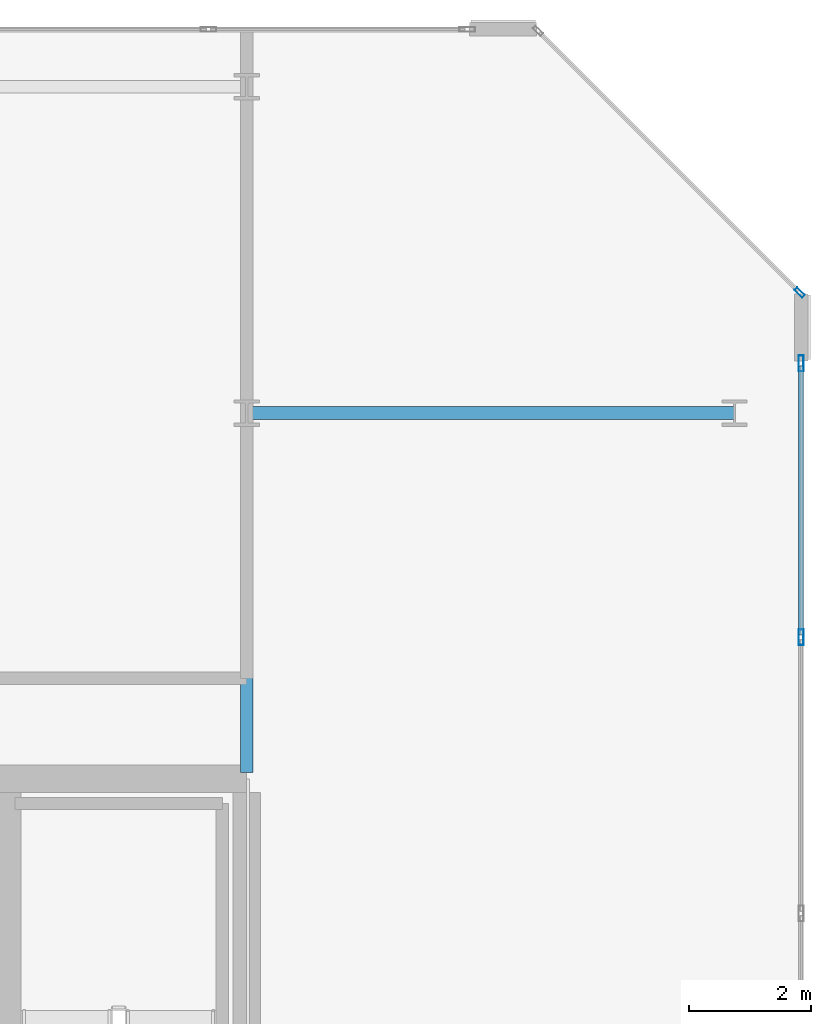
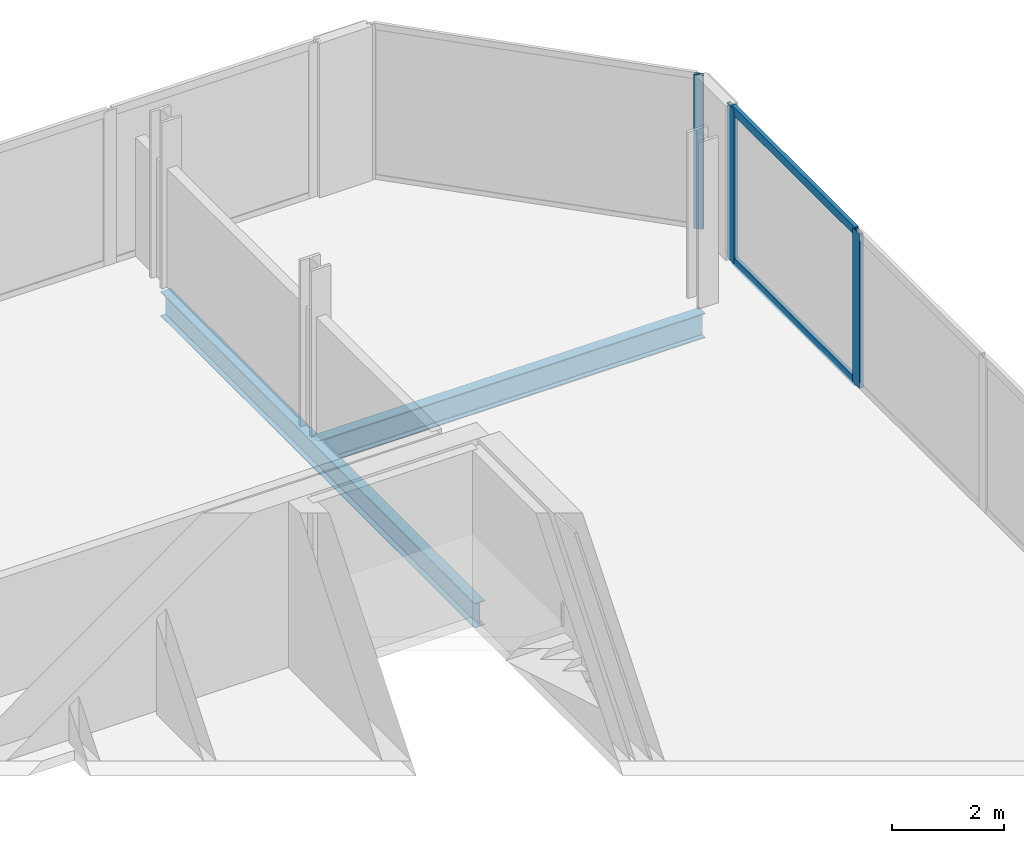
# One storey, part 11 of 16: 5 members, 2 beams, 2 elements without a shape of their own.
"""IFC4 building model written with IfcOpenShell, lengths in metres."""

from ifc_helpers import new_model, si_unit, direction, frame, origin, origin_2d, place, context, subcontext, project, spatial, hollow_rectangle, i_section, extrude, material, layer, layer_set, material_profile, profile_set, type_object, element, aggregate, save


model = new_model("IFC4")

# Units and contexts
model_context = context("Model", 3, precision=1e-05, world=origin(), true_north=direction((0.0, 1.0)))
body_context = subcontext(model_context, "Body", "Model", "MODEL_VIEW")
ifc_project = project(units=[si_unit("LENGTHUNIT", "METRE"), si_unit("AREAUNIT", "SQUARE_METRE"), si_unit("VOLUMEUNIT", "CUBIC_METRE"), si_unit("PLANEANGLEUNIT", "RADIAN"), si_unit("MASSUNIT", "GRAM", prefix="KILO")], contexts=[model_context])

# Site, building, storey
site_placement = place(None, origin())
site = spatial("IfcSite", under=ifc_project, at=site_placement, CompositionType="ELEMENT")
building_placement = place(site_placement, origin())
building = spatial("IfcBuilding", under=site, at=building_placement, Name="Tanjung Sevakor Pilgrim Tower", CompositionType="ELEMENT")
storey_placement = place(building_placement, frame((0.0, 0.0, 275.219970703125)))
storey = spatial("IfcBuildingStorey", under=building, at=storey_placement, Name="L77", CompositionType="ELEMENT", Elevation=275.219970703125)

# Beams
ifc_material_1 = material(Name="Steel S355J2", Category="steel")
ifc_material_profile_1 = material_profile(ifc_material_1, i_section(OverallWidth=0.2119140625, OverallDepth=0.54443359375, WebThickness=0.0126953125, FlangeThickness=0.021240234375, FilletRadius=0.0126953125, at=origin_2d()))
ifc_profile_set_1 = profile_set([ifc_material_profile_1], Name="Steel S355J2")
beam_type_1 = type_object("IfcBeamType", Name="BM-B-G5-UB_533x210x122", PredefinedType="BEAM", material=ifc_profile_set_1)
beam_1_placement = place(storey_placement, frame((90.0, 48.60009765625, -0.4921875), z_axis=(1.0, 0.0, 0.0), x_axis=(0.0, 1.0, 0.0)))
element("IfcBeam", 1, at=beam_1_placement, inside=storey, type_object=beam_type_1, Name="L77 East Peak Wing Girder Y48.6", PredefinedType="BEAM", context=body_context, shape_type="SweptSolid", body=[
    extrude(i_section(OverallWidth=0.2119140625, OverallDepth=0.54443359375, WebThickness=0.0126953125, FlangeThickness=0.021240234375, FilletRadius=0.0126953125, at=origin_2d()), origin(), (0.0, 0.0, 1.0), 8.0),
])
ifc_material_2 = material(Name="Steel S355J2", Category="steel")
ifc_material_profile_2 = material_profile(ifc_material_2, i_section(OverallWidth=0.210693359375, OverallDepth=0.53955078125, WebThickness=0.01171875, FlangeThickness=0.018798828125, FilletRadius=0.0126953125, at=origin_2d()))
ifc_profile_set_2 = profile_set([ifc_material_profile_2], Name="Steel S355J2")
beam_type_2 = type_object("IfcBeamType", Name="BM-B-G6-UB_533x210x109", PredefinedType="BEAM", material=ifc_profile_set_2)
beam_2_placement = place(storey_placement, frame((90.0, 42.7060546875, -0.48974609375), z_axis=(0.0, 1.0, 0.0), x_axis=(-1.0, 0.0, 0.0)))
element("IfcBeam", 2, at=beam_2_placement, inside=storey, type_object=beam_type_2, Name="L77 EAST Girder 010", PredefinedType="BEAM", context=body_context, shape_type="SweptSolid", body=[
    extrude(i_section(OverallWidth=0.210693359375, OverallDepth=0.53955078125, WebThickness=0.01171875, FlangeThickness=0.018798828125, FilletRadius=0.0126953125, at=origin_2d()), origin(), (0.0, 0.0, 1.0), 11.243896484375),
])

# Curtain wall, member
ifc_material_3 = material(Name="Aluminium 6063-T6 and Low-E Glass", Category="aluminium")
ifc_layer_1 = layer(ifc_material_3, 0.179931640625)
ifc_layer_set_1 = layer_set([ifc_layer_1], Name="CW-SYS-CHAM")
curtain_wall_type_1 = type_object("IfcCurtainWallType", Name="CW-SYS-CHAM", PredefinedType="NOTDEFINED", material=ifc_layer_set_1)
curtain_wall_1_placement = place(storey_placement, origin())
curtain_wall_1 = element("IfcCurtainWall", 3, at=curtain_wall_1_placement, inside=storey, type_object=curtain_wall_type_1, Name="L77 Curtain Wall CW-CHM-L77-EAST-3", PredefinedType="NOTDEFINED")
ifc_material_4 = material(Name="Aluminium 6063-T6", Category="aluminium")
ifc_material_profile_3 = material_profile(ifc_material_4, hollow_rectangle(XDim=0.06494140625, YDim=0.179931640625, WallThickness=0.00390625, at=origin_2d()))
ifc_profile_set_3 = profile_set([ifc_material_profile_3], Name="Aluminium 6063-T6")
member_type_1 = type_object("IfcMemberType", Name="TYPE-CWM-1", PredefinedType="MULLION", material=ifc_profile_set_3)
member_1_placement = place(storey_placement, frame((99.067138671875, 50.577392578125, 0.0), z_axis=(0.0, 0.0, 1.0), x_axis=(-0.707106781187, -0.707106781187, 0.0)))
member_1 = element("IfcMember", 4, at=member_1_placement, type_object=member_type_1, Name="CW-CHM mullion 1", PredefinedType="MULLION", context=body_context, shape_type="SweptSolid", body=[
    extrude(hollow_rectangle(XDim=0.06494140625, YDim=0.179931640625, WallThickness=0.00390625, at=origin_2d()), origin(), (0.0, 0.0, 1.0), 3.3701171875),
])
aggregate(curtain_wall_1, [member_1])

# Curtain wall, members
ifc_material_5 = material(Name="Aluminium 6063-T6 and Low-E Glass", Category="aluminium")
ifc_layer_2 = layer(ifc_material_5, 0.219970703125)
ifc_layer_set_2 = layer_set([ifc_layer_2], Name="CW-SYS-CRNE")
curtain_wall_type_2 = type_object("IfcCurtainWallType", Name="CW-SYS-CRNE", PredefinedType="NOTDEFINED", material=ifc_layer_set_2)
curtain_wall_2_placement = place(storey_placement, origin())
curtain_wall_2 = element("IfcCurtainWall", 5, at=curtain_wall_2_placement, inside=storey, type_object=curtain_wall_type_2, Name="L77 Curtain Wall CW-CRN-L77-EAST-2-1", PredefinedType="NOTDEFINED")
ifc_material_6 = material(Name="Aluminium 6063-T6", Category="aluminium")
ifc_material_profile_4 = material_profile(ifc_material_6, hollow_rectangle(XDim=0.080078125, YDim=0.260009765625, WallThickness=0.0048828125, at=origin_2d()))
ifc_profile_set_4 = profile_set([ifc_material_profile_4], Name="Aluminium 6063-T6")
member_type_2 = type_object("IfcMemberType", Name="TYPE-CWM-3", PredefinedType="MULLION", material=ifc_profile_set_4)
member_2_placement = place(storey_placement, frame((99.090087890625, 44.924560546875, 0.0), z_axis=(0.0, 0.0, 1.0), x_axis=(-1.0, 0.0, 0.0)))
member_2 = element("IfcMember", 6, at=member_2_placement, type_object=member_type_2, Name="CW-CRE mullion 7", PredefinedType="MULLION", context=body_context, shape_type="SweptSolid", body=[
    extrude(hollow_rectangle(XDim=0.080078125, YDim=0.260009765625, WallThickness=0.0048828125, at=origin_2d()), origin(), (0.0, 0.0, 1.0), 3.3701171875),
])
member_3_placement = place(storey_placement, frame((99.090087890625, 49.414306640625, 0.0), z_axis=(0.0, 0.0, 1.0), x_axis=(-1.0, 0.0, 0.0)))
member_3 = element("IfcMember", 7, at=member_3_placement, type_object=member_type_2, Name="CW-CRE mullion 8", PredefinedType="MULLION", context=body_context, shape_type="SweptSolid", body=[
    extrude(hollow_rectangle(XDim=0.080078125, YDim=0.260009765625, WallThickness=0.0048828125, at=origin_2d()), origin(), (0.0, 0.0, 1.0), 3.3701171875),
])
ifc_material_7 = material(Name="Aluminium 6063-T6", Category="aluminium")
ifc_material_profile_5 = material_profile(ifc_material_7, hollow_rectangle(XDim=0.080078125, YDim=0.179931640625, WallThickness=0.0048828125, at=origin_2d()))
ifc_profile_set_5 = profile_set([ifc_material_profile_5], Name="Aluminium 6063-T6")
member_type_3 = type_object("IfcMemberType", Name="TYPE-CWT-3", PredefinedType="USERDEFINED", material=ifc_profile_set_5)
member_4_placement = place(storey_placement, frame((99.090087890625, 44.964599609375, 0.0400390625), z_axis=(0.0, 1.0, 0.0), x_axis=(-1.0, 0.0, 0.0)))
member_4 = element("IfcMember", 8, at=member_4_placement, type_object=member_type_3, Name="CW-CRE transom 7.1", ObjectType="TRANSOM", PredefinedType="USERDEFINED", context=body_context, shape_type="SweptSolid", body=[
    extrude(hollow_rectangle(XDim=0.080078125, YDim=0.179931640625, WallThickness=0.0048828125, at=origin_2d()), origin(), (0.0, 0.0, 1.0), 4.409912109375),
])
member_5_placement = place(storey_placement, frame((99.090087890625, 44.964599609375, 3.330078125), z_axis=(0.0, 1.0, 0.0), x_axis=(-1.0, 0.0, 0.0)))
member_5 = element("IfcMember", 9, at=member_5_placement, type_object=member_type_3, Name="CW-CRE transom 7.2", ObjectType="TRANSOM", PredefinedType="USERDEFINED", context=body_context, shape_type="SweptSolid", body=[
    extrude(hollow_rectangle(XDim=0.080078125, YDim=0.179931640625, WallThickness=0.0048828125, at=origin_2d()), origin(), (0.0, 0.0, 1.0), 4.409912109375),
])
aggregate(curtain_wall_2, [member_2, member_3, member_4, member_5])

save(model, "model.ifc")
